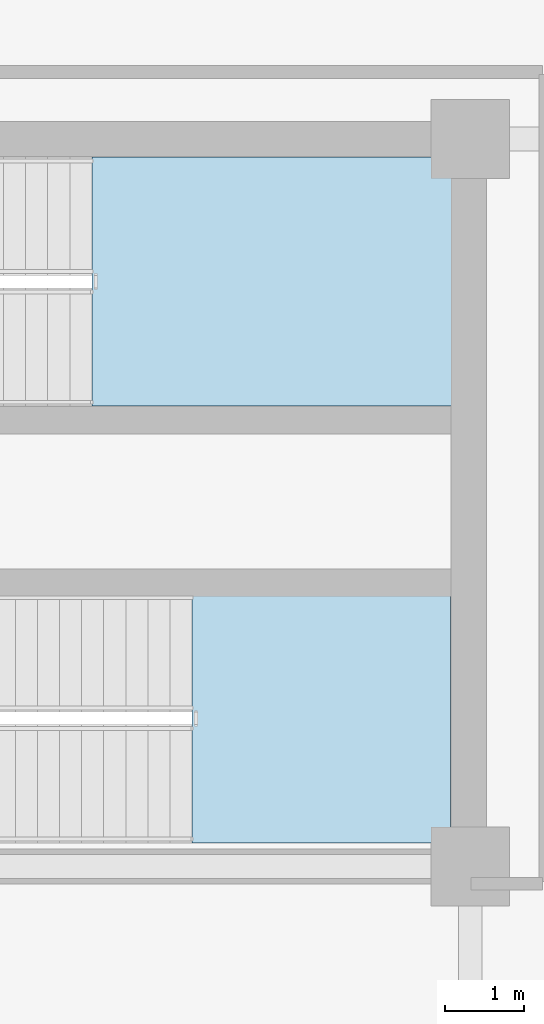
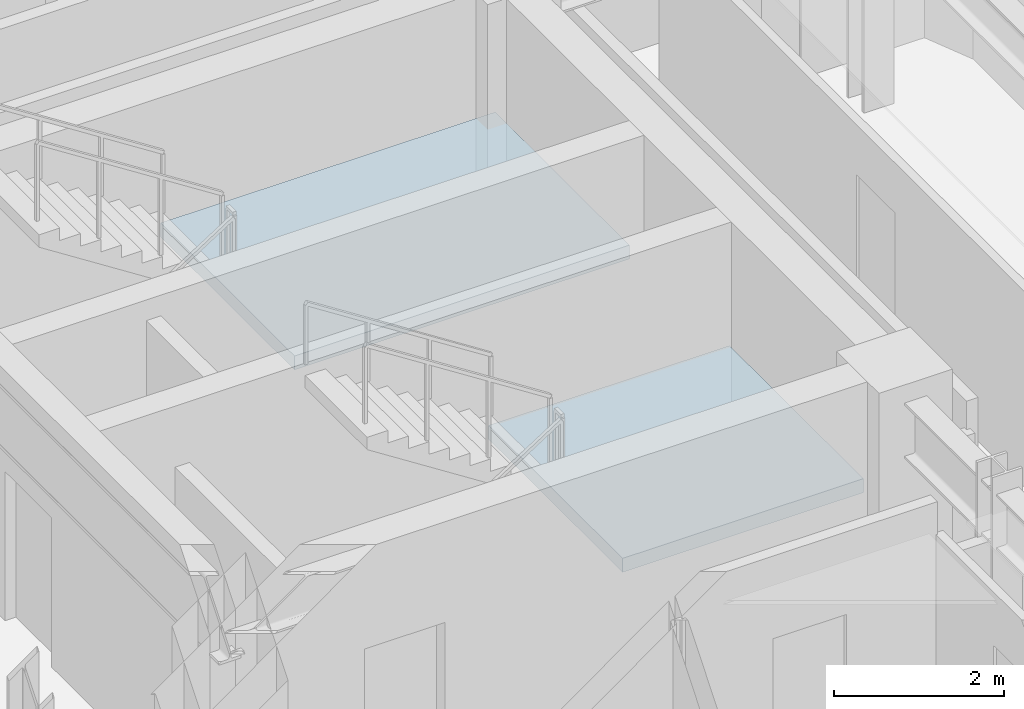
# One storey, part 4 of 14: 2 slabs, 2 elements without a shape of their own.
"""IFC4 building model written with IfcOpenShell, lengths in metres."""

from ifc_helpers import new_model, si_unit, direction, frame, origin, place, context, subcontext, project, spatial, polyline, outline, extrude, material, layer, layer_set, type_object, element, aggregate, save


model = new_model("IFC4")

# Units and contexts
model_context = context("Model", 3, precision=1e-05, world=origin(), true_north=direction((0.0, 1.0)))
body_context = subcontext(model_context, "Body", "Model", "MODEL_VIEW")
ifc_project = project(units=[si_unit("LENGTHUNIT", "METRE"), si_unit("AREAUNIT", "SQUARE_METRE"), si_unit("VOLUMEUNIT", "CUBIC_METRE"), si_unit("PLANEANGLEUNIT", "RADIAN"), si_unit("MASSUNIT", "GRAM", prefix="KILO")], contexts=[model_context])

# Site, building, storey
site_placement = place(None, origin())
site = spatial("IfcSite", under=ifc_project, at=site_placement, CompositionType="ELEMENT")
building_placement = place(site_placement, origin())
building = spatial("IfcBuilding", under=site, at=building_placement, Name="Zarnavel Station Tower", CompositionType="ELEMENT")
storey_placement = place(building_placement, frame((0.0, 0.0, 225.60009765625)))
storey = spatial("IfcBuildingStorey", under=building, at=storey_placement, Name="L61", CompositionType="ELEMENT", Elevation=225.60009765625)

# Stair, slab
ifc_material_1 = material(Name="Concrete C45/55", Category="concrete")
stair_type = type_object("IfcStairType", Name="ST_CORE_150", PredefinedType="HALF_TURN_STAIR", material=ifc_material_1)
stair_1_placement = place(storey_placement, origin())
stair_1 = element("IfcStair", 1, at=stair_1_placement, inside=storey, type_object=stair_type, Name="L61 Core Exit Stair ST2", PredefinedType="HALF_TURN_STAIR")
ifc_material_2 = material(Name="Concrete C45/55", Category="concrete")
ifc_layer = layer(ifc_material_2, 0.199951171875)
ifc_layer_set = layer_set([ifc_layer], Name="SL_STAIR_LAND_200")
slab_type = type_object("IfcSlabType", Name="SL_STAIR_LAND_200", PredefinedType="LANDING", material=ifc_layer_set)
slab_1_placement = place(storey_placement, frame((0.0, 0.0, 1.599853515625)))
slab_1 = element("IfcSlab", 2, at=slab_1_placement, type_object=slab_type, Name="ST2 landing 1", PredefinedType="LANDING", context=body_context, shape_type="SweptSolid", body=[
    extrude(outline(polyline([(40.60009765625, 33.659912109375), (45.159912109375, 33.659912109375), (45.159912109375, 36.820068359375), (40.60009765625, 36.820068359375), (40.60009765625, 33.659912109375)])), origin(), (0.0, 0.0, 1.0), 0.199951171875),
])
aggregate(stair_1, [slab_1])

stair_2_placement = place(storey_placement, origin())
stair_2 = element("IfcStair", 3, at=stair_2_placement, inside=storey, type_object=stair_type, Name="L61 Core Exit Stair ST3", PredefinedType="HALF_TURN_STAIR")
slab_2_placement = place(storey_placement, frame((0.0, 0.0, 1.599853515625)))
slab_2 = element("IfcSlab", 4, at=slab_2_placement, type_object=slab_type, Name="ST3 landing 1", PredefinedType="LANDING", context=body_context, shape_type="SweptSolid", body=[
    extrude(outline(polyline([(41.8701171875, 28.1201171875), (45.14990234375, 28.1201171875), (45.14990234375, 31.280029296875), (41.8701171875, 31.280029296875), (41.8701171875, 28.1201171875)])), origin(), (0.0, 0.0, 1.0), 0.199951171875),
])
aggregate(stair_2, [slab_2])

save(model, "model.ifc")
